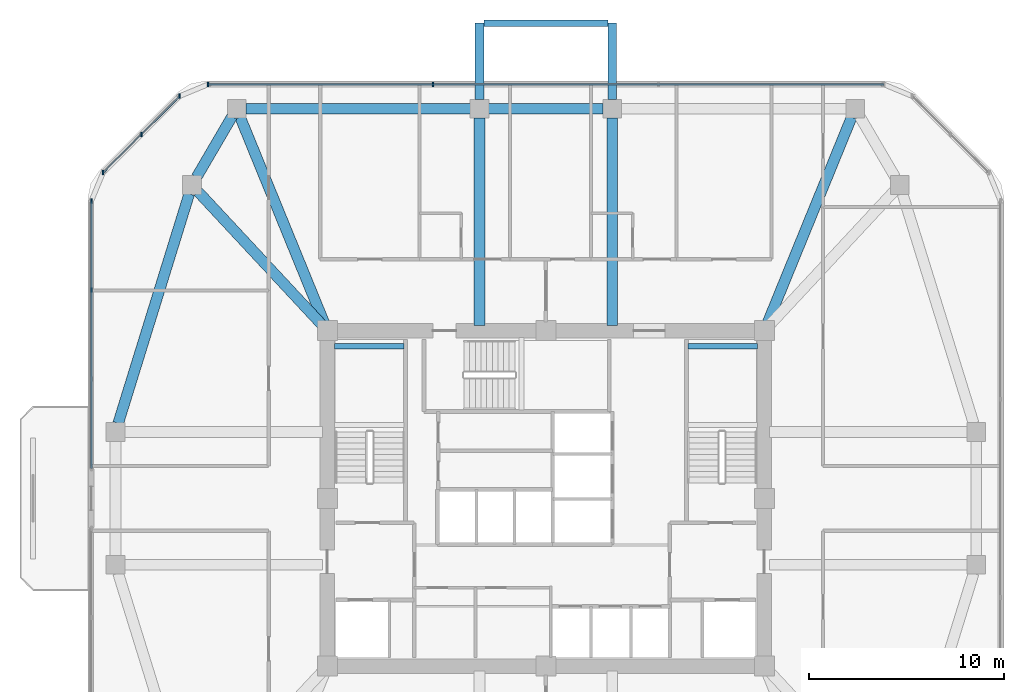
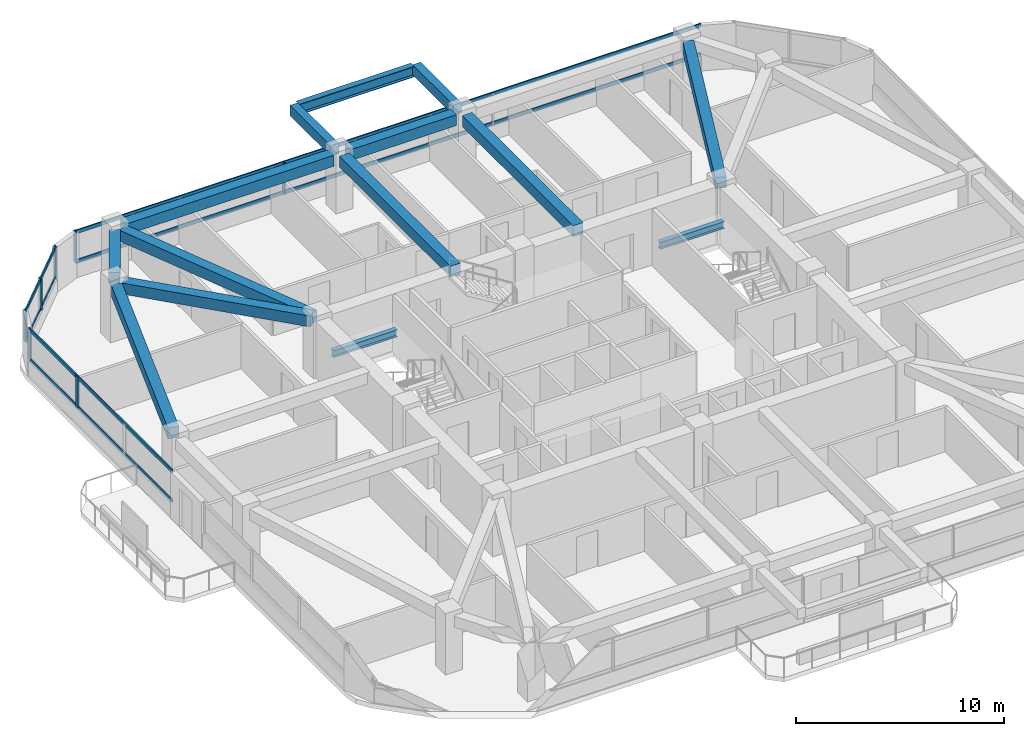
# One storey, part 4 of 12: 14 beams, 13 members, 3 elements without a shape of their own.
"""IFC4 building model written with IfcOpenShell, lengths in metres."""

from ifc_helpers import new_model, si_unit, derived_unit, direction, frame, origin, origin_2d, place, context, subcontext, project, spatial, rectangle, i_section, extrude, material, material_profile, profile_set, type_object, element, aggregate, save


model = new_model("IFC4")

# Units and contexts
model_context = context("Model", 3, precision=1e-05, world=origin(), true_north=direction((0.0, 1.0)))
body_context = subcontext(model_context, "Body", "Model", "MODEL_VIEW")
ifc_project = project(units=[si_unit("LENGTHUNIT", "METRE"), si_unit("AREAUNIT", "SQUARE_METRE"), si_unit("VOLUMEUNIT", "CUBIC_METRE"), si_unit("PLANEANGLEUNIT", "RADIAN"), si_unit("MASSUNIT", "GRAM", prefix="KILO"), derived_unit("THERMALTRANSMITTANCEUNIT", [(si_unit("POWERUNIT", "WATT"), 1), (si_unit("LENGTHUNIT", "METRE"), -2), (si_unit("THERMODYNAMICTEMPERATUREUNIT", "KELVIN"), -1)])], contexts=[model_context])

# Site, building, storey
site_placement = place(None, origin())
site = spatial("IfcSite", under=ifc_project, at=site_placement, CompositionType="ELEMENT")
building_placement = place(site_placement, origin())
building = spatial("IfcBuilding", under=site, at=building_placement, Name="Koralith Skygarden Medical Center", CompositionType="ELEMENT")
storey_placement = place(building_placement, frame((0.0, 0.0, 134.820068359375)))
storey = spatial("IfcBuildingStorey", under=building, at=storey_placement, Name="L34", CompositionType="ELEMENT", Elevation=134.820068359375)

# Curtain wall, members
ifc_material_1 = material(Name="Clear Laminated Glass", Category="glass")
curtain_wall_type = type_object("IfcCurtainWallType", Name="CW-4 Zone 3 Waist High-Wind Curtain Wall", PredefinedType="NOTDEFINED", material=ifc_material_1)
curtain_wall_1_placement = place(storey_placement, origin())
curtain_wall_1 = element("IfcCurtainWall", 1, at=curtain_wall_1_placement, inside=storey, type_object=curtain_wall_type, Name="Curtain Wall CW-L34-N", PredefinedType="NOTDEFINED")
ifc_material_2 = material(Name="Aluminium 6063-T6", Category="aluminium")
ifc_material_profile_1 = material_profile(ifc_material_2, rectangle(XDim=0.076904296875, YDim=0.22998046875, at=origin_2d()), Name="MUL77X230")
ifc_profile_set_1 = profile_set([ifc_material_profile_1], Name="Aluminium 6063-T6")
member_type_1 = type_object("IfcMemberType", Name="CW-4 Extruded Mullion 77x230", PredefinedType="MULLION", material=ifc_profile_set_1)
member_1_placement = place(storey_placement, frame((31.22412109375, 47.1201171875, 0.849853515625), z_axis=(0.0, 0.0, 1.0), x_axis=(1.0, 0.0, 0.0)))
member_1 = element("IfcMember", 2, at=member_1_placement, type_object=member_type_1, Name="CW-L34-N Mullion 3", PredefinedType="MULLION", context=body_context, shape_type="SweptSolid", body=[
    extrude(rectangle(XDim=0.076904296875, YDim=0.22998046875, at=origin_2d()), origin(), (0.0, 0.0, 1.0), 1.820068359375),
])
member_2_placement = place(storey_placement, frame((19.6708984375, 47.1201171875, 0.849853515625), z_axis=(0.0, 0.0, 1.0), x_axis=(1.0, 0.0, 0.0)))
member_2 = element("IfcMember", 3, at=member_2_placement, type_object=member_type_1, Name="CW-L34-N Mullion 4", PredefinedType="MULLION", context=body_context, shape_type="SweptSolid", body=[
    extrude(rectangle(XDim=0.076904296875, YDim=0.22998046875, at=origin_2d()), origin(), (0.0, 0.0, 1.0), 1.820068359375),
])

curtain_wall_2_placement = place(storey_placement, origin())
curtain_wall_2 = element("IfcCurtainWall", 4, at=curtain_wall_2_placement, inside=storey, type_object=curtain_wall_type, Name="Curtain Wall CW-L34-NW", PredefinedType="NOTDEFINED")
member_3_placement = place(storey_placement, frame((18.219970703125, 46.51904296875, 0.849853515625), z_axis=(0.0, 0.0, 1.0), x_axis=(1.0, 0.0, 0.0)))
member_3 = element("IfcMember", 5, at=member_3_placement, type_object=member_type_1, Name="CW-L34-NW Mullion 1", PredefinedType="MULLION", context=body_context, shape_type="SweptSolid", body=[
    extrude(rectangle(XDim=0.076904296875, YDim=0.22998046875, at=origin_2d()), origin(), (0.0, 0.0, 1.0), 1.820068359375),
])
member_4_placement = place(storey_placement, frame((16.258056640625, 44.556884765625, 0.849853515625), z_axis=(0.0, 0.0, 1.0), x_axis=(1.0, 0.0, 0.0)))
member_4 = element("IfcMember", 6, at=member_4_placement, type_object=member_type_1, Name="CW-L34-NW Mullion 2", PredefinedType="MULLION", context=body_context, shape_type="SweptSolid", body=[
    extrude(rectangle(XDim=0.076904296875, YDim=0.22998046875, at=origin_2d()), origin(), (0.0, 0.0, 1.0), 1.820068359375),
])
member_5_placement = place(storey_placement, frame((14.297119140625, 42.595947265625, 0.849853515625), z_axis=(0.0, 0.0, 1.0), x_axis=(1.0, 0.0, 0.0)))
member_5 = element("IfcMember", 7, at=member_5_placement, type_object=member_type_1, Name="CW-L34-NW Mullion 3", PredefinedType="MULLION", context=body_context, shape_type="SweptSolid", body=[
    extrude(rectangle(XDim=0.076904296875, YDim=0.22998046875, at=origin_2d()), origin(), (0.0, 0.0, 1.0), 1.820068359375),
])

curtain_wall_3_placement = place(storey_placement, origin())
curtain_wall_3 = element("IfcCurtainWall", 8, at=curtain_wall_3_placement, inside=storey, type_object=curtain_wall_type, Name="Curtain Wall CW-L34-W-L", PredefinedType="NOTDEFINED")
member_6_placement = place(storey_placement, frame((13.696044921875, 41.14501953125, 0.849853515625), z_axis=(0.0, 0.0, 1.0), x_axis=(1.0, 0.0, 0.0)))
member_6 = element("IfcMember", 9, at=member_6_placement, type_object=member_type_1, Name="CW-L34-W-L Mullion 1", PredefinedType="MULLION", context=body_context, shape_type="SweptSolid", body=[
    extrude(rectangle(XDim=0.076904296875, YDim=0.22998046875, at=origin_2d()), origin(), (0.0, 0.0, 1.0), 1.820068359375),
])
member_7_placement = place(storey_placement, frame((13.696044921875, 36.576904296875, 0.849853515625), z_axis=(0.0, 0.0, 1.0), x_axis=(1.0, 0.0, 0.0)))
member_7 = element("IfcMember", 10, at=member_7_placement, type_object=member_type_1, Name="CW-L34-W-L Mullion 2", PredefinedType="MULLION", context=body_context, shape_type="SweptSolid", body=[
    extrude(rectangle(XDim=0.076904296875, YDim=0.22998046875, at=origin_2d()), origin(), (0.0, 0.0, 1.0), 1.820068359375),
])

# Member
ifc_material_profile_2 = material_profile(ifc_material_2, rectangle(XDim=0.072021484375, YDim=0.20703125, at=origin_2d()), Name="TRN72X207")
ifc_profile_set_2 = profile_set([ifc_material_profile_2], Name="Aluminium 6063-T6")
member_type_2 = type_object("IfcMemberType", Name="CW-4 Thermal Transom 72x207", PredefinedType="USERDEFINED", material=ifc_profile_set_2)
member_8_placement = place(storey_placement, frame((54.3291015625, 47.1201171875, 0.89990234375), z_axis=(-1.0, 0.0, 0.0), x_axis=(0.0, -1.0, 0.0)))
member_8 = element("IfcMember", 11, at=member_8_placement, type_object=member_type_2, Name="CW-L34-N Transom 1", ObjectType="TRANSOM", PredefinedType="USERDEFINED", context=body_context, shape_type="SweptSolid", body=[
    extrude(rectangle(XDim=0.072021484375, YDim=0.20703125, at=origin_2d()), origin(), (0.0, 0.0, 1.0), 34.658203125),
])

member_9_placement = place(storey_placement, frame((54.3291015625, 47.1201171875, 2.619873046875), z_axis=(-1.0, 0.0, 0.0), x_axis=(0.0, -1.0, 0.0)))
member_9 = element("IfcMember", 12, at=member_9_placement, type_object=member_type_2, Name="CW-L34-N Transom 2", ObjectType="TRANSOM", PredefinedType="USERDEFINED", context=body_context, shape_type="SweptSolid", body=[
    extrude(rectangle(XDim=0.072021484375, YDim=0.20703125, at=origin_2d()), origin(), (0.0, 0.0, 1.0), 34.658203125),
])

aggregate(curtain_wall_1, [member_1, member_2, member_8, member_9])

member_10_placement = place(storey_placement, frame((18.219970703125, 46.51904296875, 0.89990234375), z_axis=(-0.707084777957, -0.707128783731, 0.0), x_axis=(0.707128783731, -0.707084777957, 0.0)))
member_10 = element("IfcMember", 13, at=member_10_placement, type_object=member_type_2, Name="CW-L34-NW Transom 1", ObjectType="TRANSOM", PredefinedType="USERDEFINED", context=body_context, shape_type="SweptSolid", body=[
    extrude(rectangle(XDim=0.072021484375, YDim=0.20703125, at=origin_2d()), origin(), (0.0, 0.0, 1.0), 5.5478515625),
])

member_11_placement = place(storey_placement, frame((18.219970703125, 46.51904296875, 2.619873046875), z_axis=(-0.707084777957, -0.707128783731, 0.0), x_axis=(0.707128783731, -0.707084777957, 0.0)))
member_11 = element("IfcMember", 14, at=member_11_placement, type_object=member_type_2, Name="CW-L34-NW Transom 2", ObjectType="TRANSOM", PredefinedType="USERDEFINED", context=body_context, shape_type="SweptSolid", body=[
    extrude(rectangle(XDim=0.072021484375, YDim=0.20703125, at=origin_2d()), origin(), (0.0, 0.0, 1.0), 5.5478515625),
])

aggregate(curtain_wall_2, [member_3, member_4, member_5, member_10, member_11])

member_12_placement = place(storey_placement, frame((13.696044921875, 41.14501953125, 0.89990234375), z_axis=(0.0, -1.0, 0.0), x_axis=(1.0, 0.0, 0.0)))
member_12 = element("IfcMember", 15, at=member_12_placement, type_object=member_type_2, Name="CW-L34-W-L Transom 1", ObjectType="TRANSOM", PredefinedType="USERDEFINED", context=body_context, shape_type="SweptSolid", body=[
    extrude(rectangle(XDim=0.072021484375, YDim=0.20703125, at=origin_2d()), origin(), (0.0, 0.0, 1.0), 13.705078125),
])

member_13_placement = place(storey_placement, frame((13.696044921875, 41.14501953125, 2.619873046875), z_axis=(0.0, -1.0, 0.0), x_axis=(1.0, 0.0, 0.0)))
member_13 = element("IfcMember", 16, at=member_13_placement, type_object=member_type_2, Name="CW-L34-W-L Transom 2", ObjectType="TRANSOM", PredefinedType="USERDEFINED", context=body_context, shape_type="SweptSolid", body=[
    extrude(rectangle(XDim=0.072021484375, YDim=0.20703125, at=origin_2d()), origin(), (0.0, 0.0, 1.0), 13.705078125),
])

aggregate(curtain_wall_3, [member_6, member_7, member_12, member_13])

# Beams
ifc_material_3 = material(Name="Steel ASTM A992 Grade 50", Category="steel")
ifc_material_profile_3 = material_profile(ifc_material_3, i_section(OverallWidth=0.326904296875, OverallDepth=0.6220703125, WebThickness=0.015380859375, FlangeThickness=0.0244140625, at=origin_2d()), Name="W24X131")
ifc_profile_set_3 = profile_set([ifc_material_profile_3], Name="Steel ASTM A992 Grade 50")
beam_type_1 = type_object("IfcBeamType", Name="Cantilever Tie Beam W24X131", PredefinedType="BEAM", material=ifc_profile_set_3)
beam_1_placement = place(storey_placement, frame((33.820068359375, 50.260009765625, 3.029052734375), z_axis=(1.0, 0.0, 0.0), x_axis=(0.0, 1.0, 0.0)))
element("IfcBeam", 17, at=beam_1_placement, inside=storey, type_object=beam_type_1, Name="L35 N Balcony Tip Tie Beam", PredefinedType="BEAM", context=body_context, shape_type="SweptSolid", body=[
    extrude(i_section(OverallWidth=0.326904296875, OverallDepth=0.6220703125, WebThickness=0.015380859375, FlangeThickness=0.0244140625, at=origin_2d()), origin(), (0.0, 0.0, 1.0), 6.35986328125),
])
ifc_material_profile_4 = material_profile(ifc_material_3, i_section(OverallWidth=0.260009765625, OverallDepth=0.4150390625, WebThickness=0.010009765625, FlangeThickness=0.016845703125, at=origin_2d()), Name="W16X67")
ifc_profile_set_4 = profile_set([ifc_material_profile_4], Name="Steel ASTM A992 Grade 50")
beam_type_2 = type_object("IfcBeamType", Name="Clinical Floor Joist W16X67", PredefinedType="JOIST", material=ifc_profile_set_4)
for number, where, z_axis, x_axis, name in (
    (18, (26.155029296875, 33.699951171875, 1.392822265625), (1.0, 0.0, 0.0), (0.0, 1.0, 0.0), "L34 Stair ST1 Half-Landing Support Beam 1B"),
    (19, (44.280029296875, 33.699951171875, 1.392822265625), (1.0, 0.0, 0.0), (0.0, 1.0, 0.0), "L34 Stair ST2 Half-Landing Support Beam 1B"),
):
    element("IfcBeam", number, at=place(storey_placement, frame(where, z_axis=z_axis, x_axis=x_axis)), inside=storey, type_object=beam_type_2, Name=name, PredefinedType="JOIST", context=body_context, shape_type="SweptSolid", body=[
        extrude(i_section(OverallWidth=0.260009765625, OverallDepth=0.4150390625, WebThickness=0.010009765625, FlangeThickness=0.016845703125, at=origin_2d()), origin(), (0.0, 0.0, 1.0), 3.56494140625),
    ])
ifc_material_4 = material(Name="Concrete C45/55", Category="concrete")
ifc_material_profile_5 = material_profile(ifc_material_4, rectangle(XDim=0.449951171875, YDim=0.60009765625, at=origin_2d()), Name="RCB450X600")
ifc_profile_set_5 = profile_set([ifc_material_profile_5], Name="Concrete C45/55")
beam_type_3 = type_object("IfcBeamType", Name="Planted Balcony Cantilever Beam RCB450X600", PredefinedType="BEAM", material=ifc_profile_set_5)
for number, where, z_axis, x_axis, name in (
    (20, (33.60009765625, 46.340087890625, 3.0400390625), (0.0, 1.0, 0.0), (-1.0, 0.0, 0.0), "L35 N Balcony Cantilever Beam A"),
    (21, (40.39990234375, 46.340087890625, 3.0400390625), (0.0, 1.0, 0.0), (-1.0, 0.0, 0.0), "L35 N Balcony Cantilever Beam B"),
):
    element("IfcBeam", number, at=place(storey_placement, frame(where, z_axis=z_axis, x_axis=x_axis)), inside=storey, type_object=beam_type_3, Name=name, PredefinedType="BEAM", context=body_context, shape_type="SweptSolid", body=[
        extrude(rectangle(XDim=0.449951171875, YDim=0.60009765625, at=origin_2d()), origin(), (0.0, 0.0, 1.0), 3.919921875),
    ])
ifc_material_profile_6 = material_profile(ifc_material_4, rectangle(XDim=0.550048828125, YDim=0.639892578125, at=origin_2d()), Name="RCB550X640")
ifc_profile_set_6 = profile_set([ifc_material_profile_6], Name="Concrete C45/55")
beam_type_4 = type_object("IfcBeamType", Name="Radial Collector Beam RCB550X640", PredefinedType="BEAM", material=ifc_profile_set_6)
beam_2_placement = place(storey_placement, frame((48.294921875, 34.73095703125, 3.0), z_axis=(0.378344544364, 0.92566484526, 0.0), x_axis=(-0.92566484526, 0.378344544364, 0.0)))
element("IfcBeam", 22, at=beam_2_placement, inside=storey, type_object=beam_type_4, Name="L34 Radial Collector Beam RB-11", PredefinedType="BEAM", context=body_context, shape_type="SweptSolid", body=[
    extrude(rectangle(XDim=0.550048828125, YDim=0.639892578125, at=origin_2d()), origin(), (0.0, 0.0, 1.0), 11.574462890625),
])
for number, where, z_axis, x_axis, name in (
    (23, (40.39990234375, 34.75, 3.0), (0.0, 1.0, 0.0), (-1.0, 0.0, 0.0), "L34 Radial Collector Beam RB-12"),
    (24, (33.60009765625, 34.75, 3.0), (0.0, 1.0, 0.0), (-1.0, 0.0, 0.0), "L34 Radial Collector Beam RB-13"),
):
    element("IfcBeam", number, at=place(storey_placement, frame(where, z_axis=z_axis, x_axis=x_axis)), inside=storey, type_object=beam_type_4, Name=name, PredefinedType="BEAM", context=body_context, shape_type="SweptSolid", body=[
        extrude(rectangle(XDim=0.550048828125, YDim=0.639892578125, at=origin_2d()), origin(), (0.0, 0.0, 1.0), 10.659912109375),
    ])
beam_3_placement = place(storey_placement, frame((25.705078125, 34.73095703125, 3.0), z_axis=(-0.378344544364, 0.92566484526, 0.0), x_axis=(-0.92566484526, -0.378344544364, 0.0)))
element("IfcBeam", 25, at=beam_3_placement, inside=storey, type_object=beam_type_4, Name="L34 Radial Collector Beam RB-14", PredefinedType="BEAM", context=body_context, shape_type="SweptSolid", body=[
    extrude(rectangle(XDim=0.550048828125, YDim=0.639892578125, at=origin_2d()), origin(), (0.0, 0.0, 1.0), 11.574462890625),
])
beam_4_placement = place(storey_placement, frame((25.6298828125, 34.68310546875, 3.0), z_axis=(-0.681369011591, 0.731940072713, 0.0), x_axis=(-0.731940072713, -0.681369011591, 0.0)))
element("IfcBeam", 26, at=beam_4_placement, inside=storey, type_object=beam_type_4, Name="L34 Radial Collector Beam RB-15", PredefinedType="BEAM", context=body_context, shape_type="SweptSolid", body=[
    extrude(rectangle(XDim=0.550048828125, YDim=0.639892578125, at=origin_2d()), origin(), (0.0, 0.0, 1.0), 9.471923828125),
])
ifc_material_profile_7 = material_profile(ifc_material_4, rectangle(XDim=0.550048828125, YDim=0.639892578125, at=origin_2d()), Name="RCB550X640")
ifc_profile_set_7 = profile_set([ifc_material_profile_7], Name="Concrete C45/55")
beam_type_5 = type_object("IfcBeamType", Name="Zone 2-3 Spandrel Beam RCB550X640", PredefinedType="SPANDREL", material=ifc_profile_set_7)
beam_5_placement = place(storey_placement, frame((39.929931640625, 45.8798828125, 3.0), z_axis=(-1.0, 0.0, 0.0), x_axis=(0.0, -1.0, 0.0)))
element("IfcBeam", 27, at=beam_5_placement, inside=storey, type_object=beam_type_5, Name="L34 Perimeter Spandrel Beam SP-12", PredefinedType="SPANDREL", context=body_context, shape_type="SweptSolid", body=[
    extrude(rectangle(XDim=0.550048828125, YDim=0.639892578125, at=origin_2d()), origin(), (0.0, 0.0, 1.0), 5.85986328125),
])
beam_6_placement = place(storey_placement, frame((33.1298828125, 45.8798828125, 3.0), z_axis=(-1.0, 0.0, 0.0), x_axis=(0.0, -1.0, 0.0)))
element("IfcBeam", 28, at=beam_6_placement, inside=storey, type_object=beam_type_5, Name="L34 Perimeter Spandrel Beam SP-13", PredefinedType="SPANDREL", context=body_context, shape_type="SweptSolid", body=[
    extrude(rectangle(XDim=0.550048828125, YDim=0.639892578125, at=origin_2d()), origin(), (0.0, 0.0, 1.0), 11.511962890625),
])
beam_7_placement = place(storey_placement, frame((20.910888671875, 45.47412109375, 3.0), z_axis=(-0.504861391295, -0.863200426077, 0.0), x_axis=(0.863200426077, -0.504861391295, 0.0)))
element("IfcBeam", 29, at=beam_7_placement, inside=storey, type_object=beam_type_5, Name="L34 Perimeter Spandrel Beam SP-14", PredefinedType="SPANDREL", context=body_context, shape_type="SweptSolid", body=[
    extrude(rectangle(XDim=0.550048828125, YDim=0.639892578125, at=origin_2d()), origin(), (0.0, 0.0, 1.0), 3.600830078125),
])
beam_8_placement = place(storey_placement, frame((18.717041015625, 41.510986328125, 3.0), z_axis=(-0.295793585147, -0.955251880389, 0.0), x_axis=(0.955251880389, -0.295793585147, 0.0)))
element("IfcBeam", 30, at=beam_8_placement, inside=storey, type_object=beam_type_5, Name="L34 Perimeter Spandrel Beam SP-15", PredefinedType="SPANDREL", context=body_context, shape_type="SweptSolid", body=[
    extrude(rectangle(XDim=0.550048828125, YDim=0.639892578125, at=origin_2d()), origin(), (0.0, 0.0, 1.0), 12.31298828125),
])

save(model, "model.ifc")
